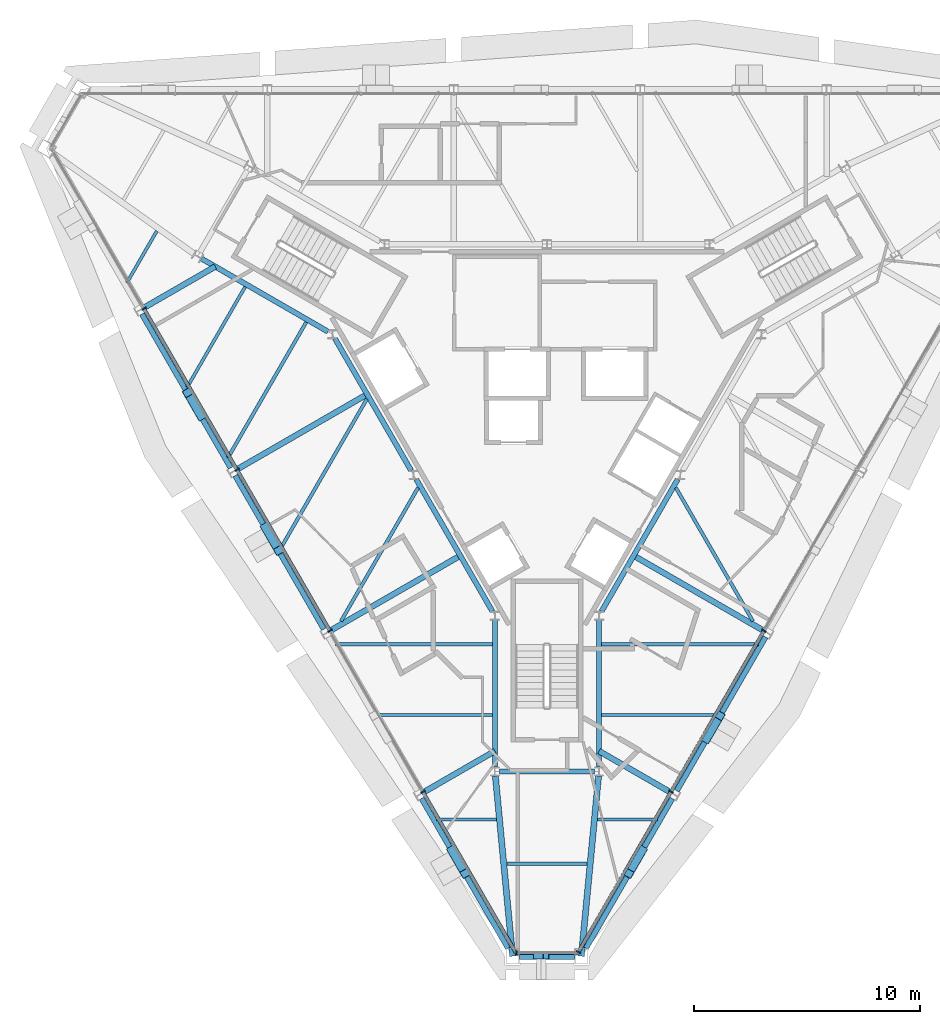
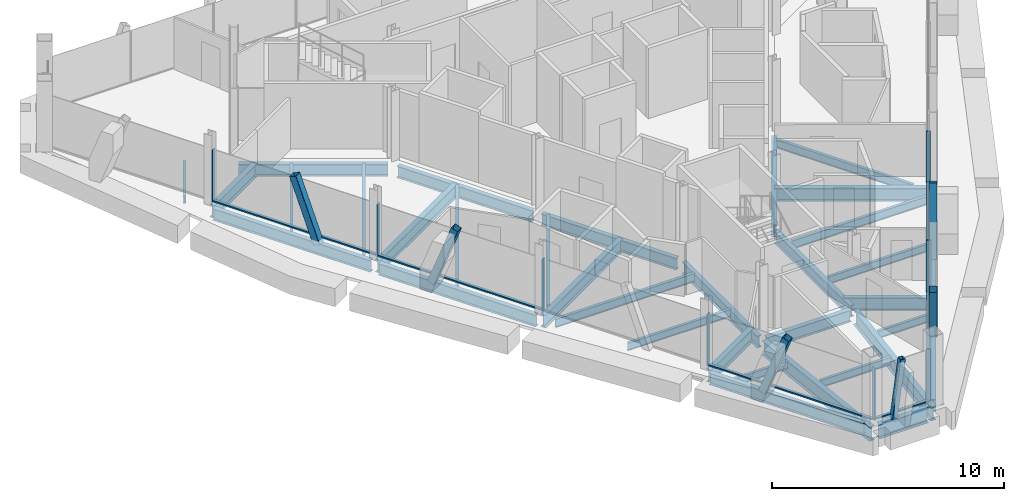
# One storey, part 3 of 12: 34 beams, 20 members, 3 elements without a shape of their own.
"""IFC4 building model written with IfcOpenShell, lengths in metres."""

from ifc_helpers import new_model, si_unit, direction, frame, origin, origin_2d, place, context, subcontext, project, spatial, rectangle, hollow_rectangle, i_section, extrude, material, material_profile, profile_set, type_object, element, aggregate, save


model = new_model("IFC4")

# Units and contexts
model_context = context("Model", 3, precision=1e-05, world=origin(), true_north=direction((0.0, 1.0)))
body_context = subcontext(model_context, "Body", "Model", "MODEL_VIEW")
ifc_project = project(units=[si_unit("LENGTHUNIT", "METRE"), si_unit("AREAUNIT", "SQUARE_METRE"), si_unit("VOLUMEUNIT", "CUBIC_METRE"), si_unit("PLANEANGLEUNIT", "RADIAN"), si_unit("MASSUNIT", "GRAM", prefix="KILO")], contexts=[model_context])

# Site, building, storey
site_placement = place(None, origin())
site = spatial("IfcSite", under=ifc_project, at=site_placement, CompositionType="ELEMENT")
building_placement = place(site_placement, origin())
building = spatial("IfcBuilding", under=site, at=building_placement, Name="Verrane Prism Tower", CompositionType="ELEMENT")
storey_placement = place(building_placement, frame((0.0, 0.0, 271.39990234375)))
storey = spatial("IfcBuildingStorey", under=building, at=storey_placement, Name="L68", CompositionType="ELEMENT", Elevation=271.39990234375)

# Member
ifc_material_1 = material(Name="Steel A500 Grade C", Category="steel")
ifc_material_profile_1 = material_profile(ifc_material_1, hollow_rectangle(XDim=0.25390625, YDim=0.25390625, WallThickness=0.009521484375, InnerFilletRadius=0.0048828125, OuterFilletRadius=0.014404296875, at=origin_2d()), Name="HSS10x10x3/8")
ifc_profile_set_1 = profile_set([ifc_material_profile_1], Name="Steel A500 Grade C")
member_type_1 = type_object("IfcMemberType", Name="Chamfer brace HSS10x10x3/8", PredefinedType="BRACE", material=ifc_profile_set_1)
member_1_placement = place(storey_placement, frame((-0.466064453125, -24.669921875, -0.242431640625), z_axis=(0.13564452477, 0.0, 0.990757570196), x_axis=(0.0, 1.0, 0.0)))
element("IfcMember", 1, at=member_1_placement, inside=storey, type_object=member_type_1, Name="Chamfer brace S0 L68", PredefinedType="BRACE", context=body_context, shape_type="SweptSolid", body=[
    extrude(hollow_rectangle(XDim=0.25390625, YDim=0.25390625, WallThickness=0.009521484375, InnerFilletRadius=0.0048828125, OuterFilletRadius=0.014404296875, at=origin_2d()), origin(), (0.0, 0.0, 1.0), 3.13720703125),
])

# Beams
ifc_material_2 = material(Name="Steel A992", Category="steel")
ifc_material_profile_2 = material_profile(ifc_material_2, i_section(OverallWidth=0.2666015625, OverallDepth=0.7568359375, WebThickness=0.013916015625, FlangeThickness=0.019287109375, FilletRadius=0.0166015625, at=origin_2d()), Name="W30x108")
ifc_profile_set_2 = profile_set([ifc_material_profile_2], Name="Steel A992")
beam_type_1 = type_object("IfcBeamType", Name="Chamfer spandrel beam W30x108", PredefinedType="SPANDREL", material=ifc_profile_set_2)
beam_1_placement = place(storey_placement, frame((-1.219970703125, -24.669921875, -0.538330078125), z_axis=(1.0, 0.0, 0.0), x_axis=(0.0, 1.0, 0.0)))
element("IfcBeam", 2, at=beam_1_placement, inside=storey, type_object=beam_type_1, Name="Chamfer spandrel beam L68", PredefinedType="SPANDREL", context=body_context, shape_type="SweptSolid", body=[
    extrude(i_section(OverallWidth=0.2666015625, OverallDepth=0.7568359375, WebThickness=0.013916015625, FlangeThickness=0.019287109375, FilletRadius=0.0166015625, at=origin_2d()), origin(), (0.0, 0.0, 1.0), 2.43994140625),
])
ifc_material_3 = material(Name="Steel A992", Category="steel")
ifc_material_profile_3 = material_profile(ifc_material_3, i_section(OverallWidth=0.23046875, OverallDepth=0.6171875, WebThickness=0.01318359375, FlangeThickness=0.022216796875, FilletRadius=0.012939453125, at=origin_2d()), Name="W24x94")
ifc_profile_set_3 = profile_set([ifc_material_profile_3], Name="Steel A992")
beam_type_2 = type_object("IfcBeamType", Name="Core ring girder W24x94", PredefinedType="BEAM", material=ifc_profile_set_3)
beam_2_placement = place(storey_placement, frame((-15.267333984375, 6.160400390625, -0.55859375), z_axis=(0.866080992722, -0.499903704773, 0.0), x_axis=(0.499903704773, 0.866080992722, 0.0)))
element("IfcBeam", 3, at=beam_2_placement, inside=storey, type_object=beam_type_2, Name="Core ring girder L68", PredefinedType="BEAM", context=body_context, shape_type="SweptSolid", body=[
    extrude(i_section(OverallWidth=0.23046875, OverallDepth=0.6171875, WebThickness=0.01318359375, FlangeThickness=0.022216796875, FilletRadius=0.012939453125, at=origin_2d()), origin(), (0.0, 0.0, 1.0), 6.451904296875),
])
for number, where, z_axis, x_axis, name in (
    (4, (-9.36865234375, 2.626953125, -0.55859375), (0.499881421193, -0.866093854468, 0.0), (0.866093854468, 0.499881421193, 0.0), "Core ring girder L68"),
    (5, (-5.778564453125, -3.593017578125, -0.55859375), (0.499881421193, -0.866093854468, 0.0), (0.866093854468, 0.499881421193, 0.0), "Core ring girder L68"),
):
    element("IfcBeam", number, at=place(storey_placement, frame(where, z_axis=z_axis, x_axis=x_axis)), inside=storey, type_object=beam_type_2, Name=name, PredefinedType="BEAM", context=body_context, shape_type="SweptSolid", body=[
        extrude(i_section(OverallWidth=0.23046875, OverallDepth=0.6171875, WebThickness=0.01318359375, FlangeThickness=0.022216796875, FilletRadius=0.012939453125, at=origin_2d()), origin(), (0.0, 0.0, 1.0), 6.736083984375),
    ])
beam_3_placement = place(storey_placement, frame((-2.300048828125, -9.81298828125, -0.55859375), z_axis=(0.0, -1.0, 0.0), x_axis=(1.0, 0.0, 0.0)))
element("IfcBeam", 6, at=beam_3_placement, inside=storey, type_object=beam_type_2, Name="Core ring girder L68", PredefinedType="BEAM", context=body_context, shape_type="SweptSolid", body=[
    extrude(i_section(OverallWidth=0.23046875, OverallDepth=0.6171875, WebThickness=0.01318359375, FlangeThickness=0.022216796875, FilletRadius=0.012939453125, at=origin_2d()), origin(), (0.0, 0.0, 1.0), 6.487548828125),
])
beam_4_placement = place(storey_placement, frame((-2.099365234375, -16.5, -0.55859375), z_axis=(1.0, 0.0, 0.0), x_axis=(0.0, 1.0, 0.0)))
element("IfcBeam", 7, at=beam_4_placement, inside=storey, type_object=beam_type_2, Name="Core ring girder L68", PredefinedType="BEAM", context=body_context, shape_type="SweptSolid", body=[
    extrude(i_section(OverallWidth=0.23046875, OverallDepth=0.6171875, WebThickness=0.01318359375, FlangeThickness=0.022216796875, FilletRadius=0.012939453125, at=origin_2d()), origin(), (0.0, 0.0, 1.0), 4.19873046875),
])
beam_5_placement = place(storey_placement, frame((2.300048828125, -16.300537109375, -0.55859375), z_axis=(0.0, 1.0, 0.0), x_axis=(-1.0, 0.0, 0.0)))
element("IfcBeam", 8, at=beam_5_placement, inside=storey, type_object=beam_type_2, Name="Core ring girder L68", PredefinedType="BEAM", context=body_context, shape_type="SweptSolid", body=[
    extrude(i_section(OverallWidth=0.23046875, OverallDepth=0.6171875, WebThickness=0.01318359375, FlangeThickness=0.022216796875, FilletRadius=0.012939453125, at=origin_2d()), origin(), (0.0, 0.0, 1.0), 6.487548828125),
])
beam_6_placement = place(storey_placement, frame((2.411376953125, -9.427001953125, -0.55859375), z_axis=(0.499881421193, 0.866093854468, 0.0), x_axis=(-0.866093854468, 0.499881421193, 0.0)))
element("IfcBeam", 9, at=beam_6_placement, inside=storey, type_object=beam_type_2, Name="Core ring girder L68", PredefinedType="BEAM", context=body_context, shape_type="SweptSolid", body=[
    extrude(i_section(OverallWidth=0.23046875, OverallDepth=0.6171875, WebThickness=0.01318359375, FlangeThickness=0.022216796875, FilletRadius=0.012939453125, at=origin_2d()), origin(), (0.0, 0.0, 1.0), 6.736083984375),
])
ifc_material_4 = material(Name="Steel A992", Category="steel")
ifc_material_profile_4 = material_profile(ifc_material_4, i_section(OverallWidth=0.2666015625, OverallDepth=0.7568359375, WebThickness=0.013916015625, FlangeThickness=0.019287109375, FilletRadius=0.0166015625, at=origin_2d()), Name="W30x108")
ifc_profile_set_4 = profile_set([ifc_material_profile_4], Name="Steel A992")
beam_type_3 = type_object("IfcBeamType", Name="Corner girder W30x108", PredefinedType="BEAM", material=ifc_profile_set_4)
beam_7_placement = place(storey_placement, frame((-1.520263671875, -24.6669921875, -0.598388671875), z_axis=(-0.095048043236, 0.995472686455, 0.0), x_axis=(-0.995472686455, -0.095048043236, 0.0)))
element("IfcBeam", 10, at=beam_7_placement, inside=storey, type_object=beam_type_3, Name="Corner girder L68", PredefinedType="BEAM", context=body_context, shape_type="SweptSolid", body=[
    extrude(i_section(OverallWidth=0.2666015625, OverallDepth=0.7568359375, WebThickness=0.013916015625, FlangeThickness=0.019287109375, FilletRadius=0.0166015625, at=origin_2d()), origin(), (0.0, 0.0, 1.0), 8.003662109375),
])
beam_8_placement = place(storey_placement, frame((1.520263671875, -24.66748046875, -0.598388671875), z_axis=(0.095042271293, 0.995473237545, 0.0), x_axis=(-0.995473237545, 0.095042271293, 0.0)))
element("IfcBeam", 11, at=beam_8_placement, inside=storey, type_object=beam_type_3, Name="Corner girder L68", PredefinedType="BEAM", context=body_context, shape_type="SweptSolid", body=[
    extrude(i_section(OverallWidth=0.2666015625, OverallDepth=0.7568359375, WebThickness=0.013916015625, FlangeThickness=0.019287109375, FilletRadius=0.0166015625, at=origin_2d()), origin(), (0.0, 0.0, 1.0), 8.004150390625),
])

# Members
ifc_material_5 = material(Name="Steel A500 Grade C", Category="steel")
ifc_material_profile_5 = material_profile(ifc_material_5, hollow_rectangle(XDim=0.355712890625, YDim=0.355712890625, WallThickness=0.0126953125, InnerFilletRadius=0.00634765625, OuterFilletRadius=0.01904296875, at=origin_2d()), Name="HSS14x14x1/2")
ifc_profile_set_5 = profile_set([ifc_material_profile_5], Name="Steel A500 Grade C")
member_type_2 = type_object("IfcMemberType", Name="Facade brace HSS14x14x1/2", PredefinedType="BRACE", material=ifc_profile_set_5)
member_2_placement = place(storey_placement, frame((-15.300048828125, -0.799072265625, -0.216552734375), z_axis=(-0.174010693257, 0.30154692564, 0.937437854084), x_axis=(-0.86613421761, -0.499811481546, 0.0)))
element("IfcMember", 12, at=member_2_placement, inside=storey, type_object=member_type_2, Name="Facade brace SW1 L68", PredefinedType="BRACE", context=body_context, shape_type="SweptSolid", body=[
    extrude(hollow_rectangle(XDim=0.355712890625, YDim=0.355712890625, WallThickness=0.0126953125, InnerFilletRadius=0.00634765625, OuterFilletRadius=0.01904296875, at=origin_2d()), origin(), (0.0, 0.0, 1.0), 3.409423828125),
])
member_3_placement = place(storey_placement, frame((-12.4599609375, -5.717529296875, -0.216552734375), z_axis=(0.17403322665, -0.301156262578, 0.937559246945), x_axis=(0.865825429664, 0.500346205489, 0.0)))
element("IfcMember", 13, at=member_3_placement, inside=storey, type_object=member_type_2, Name="Facade brace SW2 L68", PredefinedType="BRACE", context=body_context, shape_type="SweptSolid", body=[
    extrude(hollow_rectangle(XDim=0.355712890625, YDim=0.355712890625, WallThickness=0.0126953125, InnerFilletRadius=0.00634765625, OuterFilletRadius=0.01904296875, at=origin_2d()), origin(), (0.0, 0.0, 1.0), 3.408935546875),
])
for number, where, z_axis, x_axis, name in (
    (14, (-4.219970703125, -19.990966796875, -0.216552734375), (0.174010693257, -0.30154692564, 0.937437854084), (0.86613421761, 0.499811481546, 0.0), "Facade brace SW4 L68"),
    (15, (4.219970703125, -19.990966796875, -0.216552734375), (-0.174010693257, -0.30154692564, 0.937437854084), (0.86613421761, -0.499811481546, 0.0), "Facade brace SE0 L68"),
    (16, (7.06005859375, -15.069091796875, -0.216552734375), (0.174010693257, 0.30154692564, 0.937437854084), (-0.86613421761, 0.499811481546, 0.0), "Facade brace SE1 L68"),
):
    element("IfcMember", number, at=place(storey_placement, frame(where, z_axis=z_axis, x_axis=x_axis)), inside=storey, type_object=member_type_2, Name=name, PredefinedType="BRACE", context=body_context, shape_type="SweptSolid", body=[
        extrude(hollow_rectangle(XDim=0.355712890625, YDim=0.355712890625, WallThickness=0.0126953125, InnerFilletRadius=0.00634765625, OuterFilletRadius=0.01904296875, at=origin_2d()), origin(), (0.0, 0.0, 1.0), 3.409423828125),
    ])

# Beams
ifc_material_6 = material(Name="Steel A992", Category="steel")
ifc_material_profile_6 = material_profile(ifc_material_6, i_section(OverallWidth=0.140380859375, OverallDepth=0.40380859375, WebThickness=0.007080078125, FlangeThickness=0.01123046875, FilletRadius=0.01025390625, at=origin_2d()), Name="W16x31")
ifc_profile_set_6 = profile_set([ifc_material_profile_6], Name="Steel A992")
beam_type_4 = type_object("IfcBeamType", Name="Floor beam W16x31", PredefinedType="BEAM", material=ifc_profile_set_6)
beam_9_placement = place(storey_placement, frame((-18.565185546875, 5.089599609375, -0.36181640625), z_axis=(0.49994082229, 0.866059567356, 0.0), x_axis=(-0.866059567356, 0.49994082229, 0.0)))
element("IfcBeam", 17, at=beam_9_placement, inside=storey, type_object=beam_type_4, Name="Floor beam L68", PredefinedType="BEAM", context=body_context, shape_type="SweptSolid", body=[
    extrude(i_section(OverallWidth=0.140380859375, OverallDepth=0.40380859375, WebThickness=0.007080078125, FlangeThickness=0.01123046875, FilletRadius=0.01025390625, at=origin_2d()), origin(), (0.0, 0.0, 1.0), 2.645263671875),
])
beam_10_placement = place(storey_placement, frame((-15.902099609375, 0.474609375, -0.36181640625), z_axis=(0.500011000363, 0.866019052629, 0.0), x_axis=(-0.866019052629, 0.500011000363, 0.0)))
element("IfcBeam", 18, at=beam_10_placement, inside=storey, type_object=beam_type_4, Name="Floor beam L68", PredefinedType="BEAM", context=body_context, shape_type="SweptSolid", body=[
    extrude(i_section(OverallWidth=0.140380859375, OverallDepth=0.40380859375, WebThickness=0.007080078125, FlangeThickness=0.01123046875, FilletRadius=0.01025390625, at=origin_2d()), origin(), (0.0, 0.0, 1.0), 5.126953125),
])
beam_11_placement = place(storey_placement, frame((-7.538330078125, -14.010009765625, -0.36181640625), z_axis=(1.0, 0.0, 0.0), x_axis=(0.0, 1.0, 0.0)))
element("IfcBeam", 19, at=beam_11_placement, inside=storey, type_object=beam_type_4, Name="Floor beam L68", PredefinedType="BEAM", context=body_context, shape_type="SweptSolid", body=[
    extrude(i_section(OverallWidth=0.140380859375, OverallDepth=0.40380859375, WebThickness=0.007080078125, FlangeThickness=0.01123046875, FilletRadius=0.01025390625, at=origin_2d()), origin(), (0.0, 0.0, 1.0), 5.123291015625),
])
for number, where, z_axis, x_axis, name in (
    (20, (-4.876220703125, -18.623291015625, -0.36181640625), (1.0, 0.0, 0.0), (0.0, 1.0, 0.0), "Floor beam L68"),
    (21, (2.2314453125, -18.623291015625, -0.36181640625), (1.0, 0.0, 0.0), (0.0, 1.0, 0.0), "Floor beam L68"),
):
    element("IfcBeam", number, at=place(storey_placement, frame(where, z_axis=z_axis, x_axis=x_axis)), inside=storey, type_object=beam_type_4, Name=name, PredefinedType="BEAM", context=body_context, shape_type="SweptSolid", body=[
        extrude(i_section(OverallWidth=0.140380859375, OverallDepth=0.40380859375, WebThickness=0.007080078125, FlangeThickness=0.01123046875, FilletRadius=0.01025390625, at=origin_2d()), origin(), (0.0, 0.0, 1.0), 2.644775390625),
    ])
beam_12_placement = place(storey_placement, frame((2.4150390625, -14.010009765625, -0.36181640625), z_axis=(1.0, 0.0, 0.0), x_axis=(0.0, 1.0, 0.0)))
element("IfcBeam", 22, at=beam_12_placement, inside=storey, type_object=beam_type_4, Name="Floor beam L68", PredefinedType="BEAM", context=body_context, shape_type="SweptSolid", body=[
    extrude(i_section(OverallWidth=0.140380859375, OverallDepth=0.40380859375, WebThickness=0.007080078125, FlangeThickness=0.01123046875, FilletRadius=0.01025390625, at=origin_2d()), origin(), (0.0, 0.0, 1.0), 5.123291015625),
])
beam_13_placement = place(storey_placement, frame((-1.77587890625, -20.5849609375, -0.36181640625), z_axis=(1.0, 0.0, 0.0), x_axis=(0.0, 1.0, 0.0)))
element("IfcBeam", 23, at=beam_13_placement, inside=storey, type_object=beam_type_4, Name="Floor beam L68", PredefinedType="BEAM", context=body_context, shape_type="SweptSolid", body=[
    extrude(i_section(OverallWidth=0.140380859375, OverallDepth=0.40380859375, WebThickness=0.007080078125, FlangeThickness=0.01123046875, FilletRadius=0.01025390625, at=origin_2d()), origin(), (0.0, 0.0, 1.0), 3.5517578125),
])
ifc_material_7 = material(Name="Steel A992", Category="steel")
ifc_material_profile_7 = material_profile(ifc_material_7, i_section(OverallWidth=0.15234375, OverallDepth=0.449462890625, WebThickness=0.007568359375, FlangeThickness=0.0107421875, FilletRadius=0.01025390625, at=origin_2d()), Name="W18x35")
ifc_profile_set_7 = profile_set([ifc_material_profile_7], Name="Steel A992")
beam_type_5 = type_object("IfcBeamType", Name="Floor beam W18x35", PredefinedType="BEAM", material=ifc_profile_set_7)
beam_14_placement = place(storey_placement, frame((-14.1015625, -2.64599609375, -0.384765625), z_axis=(0.49999287541, 0.866029517129, 0.0), x_axis=(-0.866029517129, 0.49999287541, 0.0)))
element("IfcBeam", 24, at=beam_14_placement, inside=storey, type_object=beam_type_5, Name="Floor beam L68", PredefinedType="BEAM", context=body_context, shape_type="SweptSolid", body=[
    extrude(i_section(OverallWidth=0.15234375, OverallDepth=0.449462890625, WebThickness=0.007568359375, FlangeThickness=0.0107421875, FilletRadius=0.01025390625, at=origin_2d()), origin(), (0.0, 0.0, 1.0), 6.92919921875),
])
beam_15_placement = place(storey_placement, frame((-9.103271484375, -9.864501953125, -0.384765625), z_axis=(0.49999337185, 0.866029230515, 0.0), x_axis=(-0.866029230515, 0.49999337185, 0.0)))
element("IfcBeam", 25, at=beam_15_placement, inside=storey, type_object=beam_type_5, Name="Floor beam L68", PredefinedType="BEAM", context=body_context, shape_type="SweptSolid", body=[
    extrude(i_section(OverallWidth=0.15234375, OverallDepth=0.449462890625, WebThickness=0.007568359375, FlangeThickness=0.0107421875, FilletRadius=0.01025390625, at=origin_2d()), origin(), (0.0, 0.0, 1.0), 6.8125),
])
beam_16_placement = place(storey_placement, frame((-11.78076171875, -6.6630859375, -0.384765625), z_axis=(0.499997113229, 0.866027070456, 0.0), x_axis=(-0.866027070456, 0.499997113229, 0.0)))
element("IfcBeam", 26, at=beam_16_placement, inside=storey, type_object=beam_type_5, Name="Floor beam L68", PredefinedType="BEAM", context=body_context, shape_type="SweptSolid", body=[
    extrude(i_section(OverallWidth=0.15234375, OverallDepth=0.449462890625, WebThickness=0.007568359375, FlangeThickness=0.0107421875, FilletRadius=0.01025390625, at=origin_2d()), origin(), (0.0, 0.0, 1.0), 7.64306640625),
])
for number, where, z_axis, x_axis, name in (
    (27, (-9.338623046875, -10.889892578125, -0.384765625), (1.0, 0.0, 0.0), (0.0, 1.0, 0.0), "Floor beam L68"),
    (28, (2.4150390625, -10.889892578125, -0.384765625), (1.0, 0.0, 0.0), (0.0, 1.0, 0.0), "Floor beam L68"),
):
    element("IfcBeam", number, at=place(storey_placement, frame(where, z_axis=z_axis, x_axis=x_axis)), inside=storey, type_object=beam_type_5, Name=name, PredefinedType="BEAM", context=body_context, shape_type="SweptSolid", body=[
        extrude(i_section(OverallWidth=0.15234375, OverallDepth=0.449462890625, WebThickness=0.007568359375, FlangeThickness=0.0107421875, FilletRadius=0.01025390625, at=origin_2d()), origin(), (0.0, 0.0, 1.0), 6.923583984375),
    ])
beam_17_placement = place(storey_placement, frame((9.103271484375, -9.864501953125, -0.384765625), z_axis=(-0.49999337185, 0.866029230515, 0.0), x_axis=(-0.866029230515, -0.49999337185, 0.0)))
element("IfcBeam", 29, at=beam_17_placement, inside=storey, type_object=beam_type_5, Name="Floor beam L68", PredefinedType="BEAM", context=body_context, shape_type="SweptSolid", body=[
    extrude(i_section(OverallWidth=0.15234375, OverallDepth=0.449462890625, WebThickness=0.007568359375, FlangeThickness=0.0107421875, FilletRadius=0.01025390625, at=origin_2d()), origin(), (0.0, 0.0, 1.0), 6.8125),
])

# Curtain wall, members
ifc_material_8 = material(Name="Aluminium framed insulated glazing", Category="aluminium")
curtain_wall_type = type_object("IfcCurtainWallType", Name="Curtain wall CW-A 8400 module", PredefinedType="NOTDEFINED", material=ifc_material_8)
curtain_wall_1_placement = place(storey_placement, origin())
curtain_wall_1 = element("IfcCurtainWall", 30, at=curtain_wall_1_placement, inside=storey, type_object=curtain_wall_type, Name="Glazed curtain wall south-west face L68", PredefinedType="NOTDEFINED")
ifc_material_9 = material(Name="Aluminium alloy 6063-T6", Category="aluminium")
ifc_material_profile_8 = material_profile(ifc_material_9, rectangle(XDim=0.199951171875, YDim=0.070068359375, at=origin_2d()), Name="Mullion 70x200 aluminium")
ifc_profile_set_8 = profile_set([ifc_material_profile_8], Name="Aluminium alloy 6063-T6")
member_type_3 = type_object("IfcMemberType", Name="Mullion 70x200 aluminium", PredefinedType="MULLION", material=ifc_profile_set_8)
member_4_placement = place(storey_placement, frame((-17.8095703125, 3.952392578125, 0.0), z_axis=(0.0, 0.0, 1.0), x_axis=(0.866024861728, 0.500000938868, 0.0)))
member_4 = element("IfcMember", 31, at=member_4_placement, type_object=member_type_3, Name="CW66.4 mullion 2", PredefinedType="MULLION", context=body_context, shape_type="SweptSolid", body=[
    extrude(rectangle(XDim=0.199951171875, YDim=0.070068359375, at=origin_2d()), origin(), (0.0, 0.0, 1.0), 2.72314453125),
])
member_5_placement = place(storey_placement, frame((-13.7001953125, -3.1650390625, 0.0), z_axis=(0.0, 0.0, 1.0), x_axis=(0.866024861728, 0.500000938868, 0.0)))
member_5 = element("IfcMember", 32, at=member_5_placement, type_object=member_type_3, Name="CW66.4 mullion 3", PredefinedType="MULLION", context=body_context, shape_type="SweptSolid", body=[
    extrude(rectangle(XDim=0.199951171875, YDim=0.070068359375, at=origin_2d()), origin(), (0.0, 0.0, 1.0), 2.72314453125),
])
member_6_placement = place(storey_placement, frame((-9.591064453125, -10.2822265625, 0.0), z_axis=(0.0, 0.0, 1.0), x_axis=(0.866024861728, 0.500000938868, 0.0)))
member_6 = element("IfcMember", 33, at=member_6_placement, type_object=member_type_3, Name="CW66.4 mullion 4", PredefinedType="MULLION", context=body_context, shape_type="SweptSolid", body=[
    extrude(rectangle(XDim=0.199951171875, YDim=0.070068359375, at=origin_2d()), origin(), (0.0, 0.0, 1.0), 2.72314453125),
])
member_7_placement = place(storey_placement, frame((-5.48193359375, -17.399658203125, 0.0), z_axis=(0.0, 0.0, 1.0), x_axis=(0.866024861728, 0.500000938868, 0.0)))
member_7 = element("IfcMember", 34, at=member_7_placement, type_object=member_type_3, Name="CW66.4 mullion 5", PredefinedType="MULLION", context=body_context, shape_type="SweptSolid", body=[
    extrude(rectangle(XDim=0.199951171875, YDim=0.070068359375, at=origin_2d()), origin(), (0.0, 0.0, 1.0), 2.72314453125),
])

# Curtain wall, member
curtain_wall_2_placement = place(storey_placement, origin())
curtain_wall_2 = element("IfcCurtainWall", 35, at=curtain_wall_2_placement, inside=storey, type_object=curtain_wall_type, Name="Glazed curtain wall south corner L68", PredefinedType="NOTDEFINED")
member_8_placement = place(storey_placement, frame((-1.337646484375, -24.51708984375, 0.0), z_axis=(0.0, 0.0, 1.0), x_axis=(0.0, 1.0, 0.0)))
member_8 = element("IfcMember", 36, at=member_8_placement, type_object=member_type_3, Name="CW66.5 mullion 1", PredefinedType="MULLION", context=body_context, shape_type="SweptSolid", body=[
    extrude(rectangle(XDim=0.199951171875, YDim=0.070068359375, at=origin_2d()), origin(), (0.0, 0.0, 1.0), 2.72314453125),
])

# Curtain wall, members
curtain_wall_3_placement = place(storey_placement, origin())
curtain_wall_3 = element("IfcCurtainWall", 37, at=curtain_wall_3_placement, inside=storey, type_object=curtain_wall_type, Name="Glazed curtain wall south-east face L68", PredefinedType="NOTDEFINED")
member_9_placement = place(storey_placement, frame((1.39013671875, -24.486572265625, 0.0), z_axis=(0.0, 0.0, 1.0), x_axis=(-0.866024861728, 0.500000938868, 0.0)))
member_9 = element("IfcMember", 38, at=member_9_placement, type_object=member_type_3, Name="CW66.6 mullion 1", PredefinedType="MULLION", context=body_context, shape_type="SweptSolid", body=[
    extrude(rectangle(XDim=0.199951171875, YDim=0.070068359375, at=origin_2d()), origin(), (0.0, 0.0, 1.0), 2.72314453125),
])
member_10_placement = place(storey_placement, frame((5.48193359375, -17.399658203125, 0.0), z_axis=(0.0, 0.0, 1.0), x_axis=(-0.866024861728, 0.500000938868, 0.0)))
member_10 = element("IfcMember", 39, at=member_10_placement, type_object=member_type_3, Name="CW66.6 mullion 2", PredefinedType="MULLION", context=body_context, shape_type="SweptSolid", body=[
    extrude(rectangle(XDim=0.199951171875, YDim=0.070068359375, at=origin_2d()), origin(), (0.0, 0.0, 1.0), 2.72314453125),
])
member_11_placement = place(storey_placement, frame((9.591064453125, -10.2822265625, 0.0), z_axis=(0.0, 0.0, 1.0), x_axis=(-0.866024861728, 0.500000938868, 0.0)))
member_11 = element("IfcMember", 40, at=member_11_placement, type_object=member_type_3, Name="CW66.6 mullion 3", PredefinedType="MULLION", context=body_context, shape_type="SweptSolid", body=[
    extrude(rectangle(XDim=0.199951171875, YDim=0.070068359375, at=origin_2d()), origin(), (0.0, 0.0, 1.0), 2.72314453125),
])

# Beams
ifc_material_10 = material(Name="Steel A992", Category="steel")
ifc_material_profile_9 = material_profile(ifc_material_10, i_section(OverallWidth=0.25390625, OverallDepth=0.683349609375, WebThickness=0.012451171875, FlangeThickness=0.01904296875, FilletRadius=0.01513671875, at=origin_2d()), Name="W27x94")
ifc_profile_set_9 = profile_set([ifc_material_profile_9], Name="Steel A992")
beam_type_6 = type_object("IfcBeamType", Name="Radial girder W27x94", PredefinedType="BEAM", material=ifc_profile_set_9)
beam_18_placement = place(storey_placement, frame((-17.837158203125, 3.97412109375, -0.5615234375), z_axis=(0.866040472627, 0.499973899091, 0.0), x_axis=(-0.499973899091, 0.866040472627, 0.0)))
element("IfcBeam", 41, at=beam_18_placement, inside=storey, type_object=beam_type_6, Name="Radial girder L68", PredefinedType="BEAM", context=body_context, shape_type="SweptSolid", body=[
    extrude(i_section(OverallWidth=0.25390625, OverallDepth=0.683349609375, WebThickness=0.012451171875, FlangeThickness=0.01904296875, FilletRadius=0.01513671875, at=origin_2d()), origin(), (0.0, 0.0, 1.0), 3.670166015625),
])
beam_19_placement = place(storey_placement, frame((-13.71728515625, -3.166015625, -0.5615234375), z_axis=(0.866033637652, 0.499985738252, 0.0), x_axis=(-0.499985738252, 0.866033637652, 0.0)))
element("IfcBeam", 42, at=beam_19_placement, inside=storey, type_object=beam_type_6, Name="Radial girder L68", PredefinedType="BEAM", context=body_context, shape_type="SweptSolid", body=[
    extrude(i_section(OverallWidth=0.25390625, OverallDepth=0.683349609375, WebThickness=0.012451171875, FlangeThickness=0.01904296875, FilletRadius=0.01513671875, at=origin_2d()), origin(), (0.0, 0.0, 1.0), 6.662353515625),
])
beam_20_placement = place(storey_placement, frame((-9.59716796875, -10.2958984375, -0.5615234375), z_axis=(0.866029870483, 0.499992263371, 0.0), x_axis=(-0.499992263371, 0.866029870483, 0.0)))
element("IfcBeam", 43, at=beam_20_placement, inside=storey, type_object=beam_type_6, Name="Radial girder L68", PredefinedType="BEAM", context=body_context, shape_type="SweptSolid", body=[
    extrude(i_section(OverallWidth=0.25390625, OverallDepth=0.683349609375, WebThickness=0.012451171875, FlangeThickness=0.01904296875, FilletRadius=0.01513671875, at=origin_2d()), origin(), (0.0, 0.0, 1.0), 6.65771484375),
])
for number, where, z_axis, x_axis, name in (
    (44, (-5.477294921875, -17.43603515625, -0.5615234375), (0.866043741627, 0.499968236579, 0.0), (-0.499968236579, 0.866043741627, 0.0), "Radial girder L68"),
    (45, (5.477294921875, -17.43603515625, -0.5615234375), (-0.866043741627, 0.499968236579, 0.0), (-0.499968236579, -0.866043741627, 0.0), "Radial girder L68"),
):
    element("IfcBeam", number, at=place(storey_placement, frame(where, z_axis=z_axis, x_axis=x_axis)), inside=storey, type_object=beam_type_6, Name=name, PredefinedType="BEAM", context=body_context, shape_type="SweptSolid", body=[
        extrude(i_section(OverallWidth=0.25390625, OverallDepth=0.683349609375, WebThickness=0.012451171875, FlangeThickness=0.01904296875, FilletRadius=0.01513671875, at=origin_2d()), origin(), (0.0, 0.0, 1.0), 3.668701171875),
    ])
beam_21_placement = place(storey_placement, frame((9.59716796875, -10.2958984375, -0.5615234375), z_axis=(-0.866029870483, 0.499992263371, 0.0), x_axis=(-0.499992263371, -0.866029870483, 0.0)))
element("IfcBeam", 46, at=beam_21_placement, inside=storey, type_object=beam_type_6, Name="Radial girder L68", PredefinedType="BEAM", context=body_context, shape_type="SweptSolid", body=[
    extrude(i_section(OverallWidth=0.25390625, OverallDepth=0.683349609375, WebThickness=0.012451171875, FlangeThickness=0.01904296875, FilletRadius=0.01513671875, at=origin_2d()), origin(), (0.0, 0.0, 1.0), 6.65771484375),
])
ifc_material_11 = material(Name="Steel A992", Category="steel")
ifc_material_profile_10 = material_profile(ifc_material_11, i_section(OverallWidth=0.23046875, OverallDepth=0.6171875, WebThickness=0.01318359375, FlangeThickness=0.022216796875, FilletRadius=0.012939453125, at=origin_2d()), Name="W24x94")
ifc_profile_set_10 = profile_set([ifc_material_profile_10], Name="Steel A992")
beam_type_7 = type_object("IfcBeamType", Name="Spandrel beam W24x94", PredefinedType="SPANDREL", material=ifc_profile_set_10)
beam_22_placement = place(storey_placement, frame((-17.901611328125, 3.70947265625, -0.468505859375), z_axis=(0.499775405071, -0.866155034902, 0.0), x_axis=(0.866155034902, 0.499775405071, 0.0)))
element("IfcBeam", 47, at=beam_22_placement, inside=storey, type_object=beam_type_7, Name="Spandrel beam L68", PredefinedType="SPANDREL", context=body_context, shape_type="SweptSolid", body=[
    extrude(i_section(OverallWidth=0.23046875, OverallDepth=0.6171875, WebThickness=0.01318359375, FlangeThickness=0.022216796875, FilletRadius=0.012939453125, at=origin_2d()), origin(), (0.0, 0.0, 1.0), 7.849609375),
])
beam_23_placement = place(storey_placement, frame((-13.781494140625, -3.430419921875, -0.468505859375), z_axis=(0.500327915282, -0.865835999015, 0.0), x_axis=(0.865835999015, 0.500327915282, 0.0)))
element("IfcBeam", 48, at=beam_23_placement, inside=storey, type_object=beam_type_7, Name="Spandrel beam L68", PredefinedType="SPANDREL", context=body_context, shape_type="SweptSolid", body=[
    extrude(i_section(OverallWidth=0.23046875, OverallDepth=0.6171875, WebThickness=0.01318359375, FlangeThickness=0.022216796875, FilletRadius=0.012939453125, at=origin_2d()), origin(), (0.0, 0.0, 1.0), 7.841064453125),
])
for number, where, z_axis, x_axis, name in (
    (49, (-5.54150390625, -17.700439453125, -0.468505859375), (0.499777762154, -0.86615367485, 0.0), (0.86615367485, 0.499777762154, 0.0), "Spandrel beam L68"),
    (50, (1.721923828125, -24.320068359375, -0.468505859375), (0.499777762154, 0.86615367485, 0.0), (-0.86615367485, 0.499777762154, 0.0), "Spandrel beam L68"),
):
    element("IfcBeam", number, at=place(storey_placement, frame(where, z_axis=z_axis, x_axis=x_axis)), inside=storey, type_object=beam_type_7, Name=name, PredefinedType="SPANDREL", context=body_context, shape_type="SweptSolid", body=[
        extrude(i_section(OverallWidth=0.23046875, OverallDepth=0.6171875, WebThickness=0.01318359375, FlangeThickness=0.022216796875, FilletRadius=0.012939453125, at=origin_2d()), origin(), (0.0, 0.0, 1.0), 7.642578125),
    ])
beam_24_placement = place(storey_placement, frame((5.73828125, -17.359619140625, -0.468505859375), z_axis=(0.499798737888, 0.866141571341, 0.0), x_axis=(-0.866141571341, 0.499798737888, 0.0)))
element("IfcBeam", 51, at=beam_24_placement, inside=storey, type_object=beam_type_7, Name="Spandrel beam L68", PredefinedType="SPANDREL", context=body_context, shape_type="SweptSolid", body=[
    extrude(i_section(OverallWidth=0.23046875, OverallDepth=0.6171875, WebThickness=0.01318359375, FlangeThickness=0.022216796875, FilletRadius=0.012939453125, at=origin_2d()), origin(), (0.0, 0.0, 1.0), 7.849853515625),
])

# Member
ifc_material_12 = material(Name="Aluminium alloy 6063-T6", Category="aluminium")
ifc_material_profile_11 = material_profile(ifc_material_12, rectangle(XDim=0.14990234375, YDim=0.070068359375, at=origin_2d()), Name="Transom 70x150 aluminium")
ifc_profile_set_11 = profile_set([ifc_material_profile_11], Name="Aluminium alloy 6063-T6")
member_type_4 = type_object("IfcMemberType", Name="Transom 70x150 aluminium", PredefinedType="USERDEFINED", material=ifc_profile_set_11)
member_12_placement = place(storey_placement, frame((-17.7919921875, 3.922119140625, 0.03515625), z_axis=(0.500006018292, -0.866021929094, 0.0), x_axis=(0.866021929094, 0.500006018292, 0.0)))
member_12 = element("IfcMember", 52, at=member_12_placement, type_object=member_type_4, Name="CW66.4 transom 2", ObjectType="TRANSOM", PredefinedType="USERDEFINED", context=body_context, shape_type="SweptSolid", body=[
    extrude(rectangle(XDim=0.14990234375, YDim=0.070068359375, at=origin_2d()), origin(), (0.0, 0.0, 1.0), 8.1484375),
])

member_13_placement = place(storey_placement, frame((-13.682861328125, -3.1953125, 0.03515625), z_axis=(0.500006018292, -0.866021929094, 0.0), x_axis=(0.866021929094, 0.500006018292, 0.0)))
member_13 = element("IfcMember", 53, at=member_13_placement, type_object=member_type_4, Name="CW66.4 transom 3", ObjectType="TRANSOM", PredefinedType="USERDEFINED", context=body_context, shape_type="SweptSolid", body=[
    extrude(rectangle(XDim=0.14990234375, YDim=0.070068359375, at=origin_2d()), origin(), (0.0, 0.0, 1.0), 8.1484375),
])

member_14_placement = place(storey_placement, frame((-5.46435546875, -17.429931640625, 0.03515625), z_axis=(0.500002215902, -0.866024124429, 0.0), x_axis=(0.866024124429, 0.500002215902, 0.0)))
member_14 = element("IfcMember", 54, at=member_14_placement, type_object=member_type_4, Name="CW66.4 transom 5", ObjectType="TRANSOM", PredefinedType="USERDEFINED", context=body_context, shape_type="SweptSolid", body=[
    extrude(rectangle(XDim=0.14990234375, YDim=0.070068359375, at=origin_2d()), origin(), (0.0, 0.0, 1.0), 8.18359375),
])

aggregate(curtain_wall_1, [member_4, member_5, member_6, member_7, member_12, member_13, member_14])

member_15_placement = place(storey_placement, frame((-1.302490234375, -24.51708984375, 0.03515625), z_axis=(1.0, 0.0, 0.0), x_axis=(0.0, 1.0, 0.0)))
member_15 = element("IfcMember", 55, at=member_15_placement, type_object=member_type_4, Name="CW66.5 transom 1", ObjectType="TRANSOM", PredefinedType="USERDEFINED", context=body_context, shape_type="SweptSolid", body=[
    extrude(rectangle(XDim=0.14990234375, YDim=0.070068359375, at=origin_2d()), origin(), (0.0, 0.0, 1.0), 2.675048828125),
])

aggregate(curtain_wall_2, [member_8, member_15])

member_16_placement = place(storey_placement, frame((1.40771484375, -24.456298828125, 0.03515625), z_axis=(0.499996823547, 0.866027237703, 0.0), x_axis=(-0.866027237703, 0.499996823547, 0.0)))
member_16 = element("IfcMember", 56, at=member_16_placement, type_object=member_type_4, Name="CW66.6 transom 1", ObjectType="TRANSOM", PredefinedType="USERDEFINED", context=body_context, shape_type="SweptSolid", body=[
    extrude(rectangle(XDim=0.14990234375, YDim=0.070068359375, at=origin_2d()), origin(), (0.0, 0.0, 1.0), 8.11328125),
])

member_17_placement = place(storey_placement, frame((5.499267578125, -17.369384765625, 0.03515625), z_axis=(0.499993044538, 0.866029419485, 0.0), x_axis=(-0.866029419485, 0.499993044538, 0.0)))
member_17 = element("IfcMember", 57, at=member_17_placement, type_object=member_type_4, Name="CW66.6 transom 2", ObjectType="TRANSOM", PredefinedType="USERDEFINED", context=body_context, shape_type="SweptSolid", body=[
    extrude(rectangle(XDim=0.14990234375, YDim=0.070068359375, at=origin_2d()), origin(), (0.0, 0.0, 1.0), 8.1484375),
])

aggregate(curtain_wall_3, [member_9, member_10, member_11, member_16, member_17])

save(model, "model.ifc")
